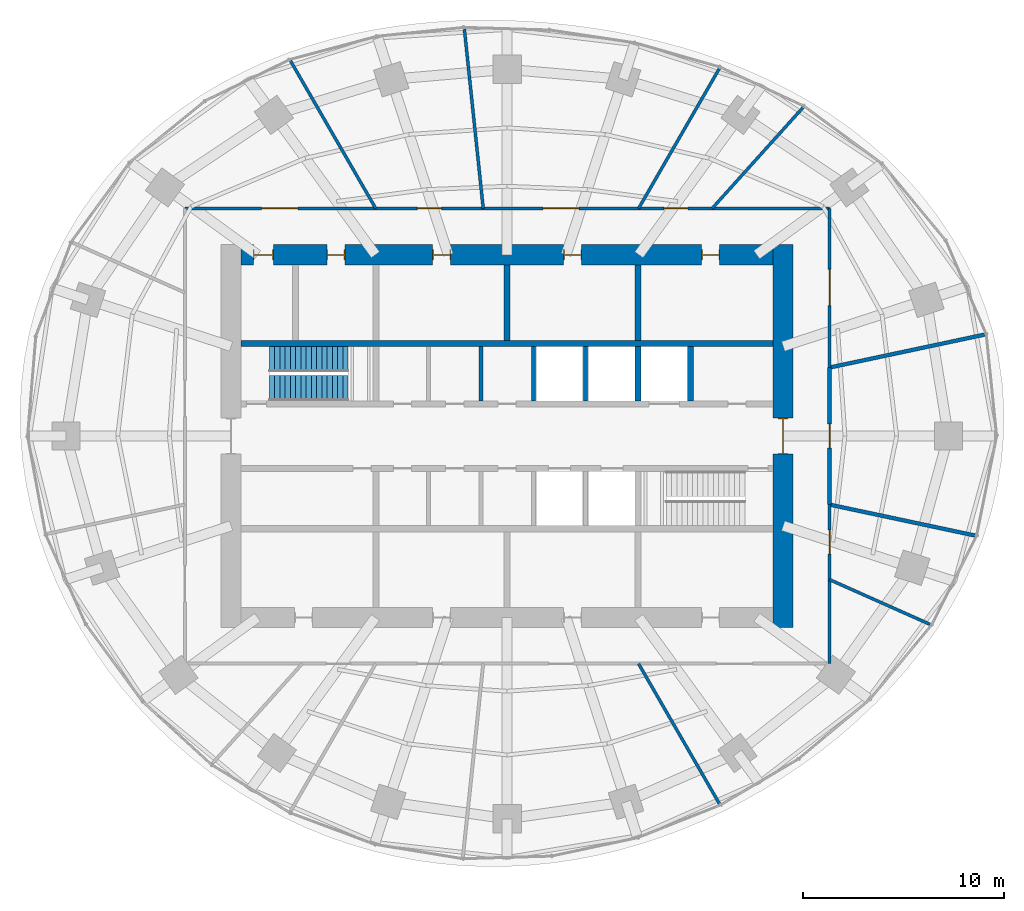
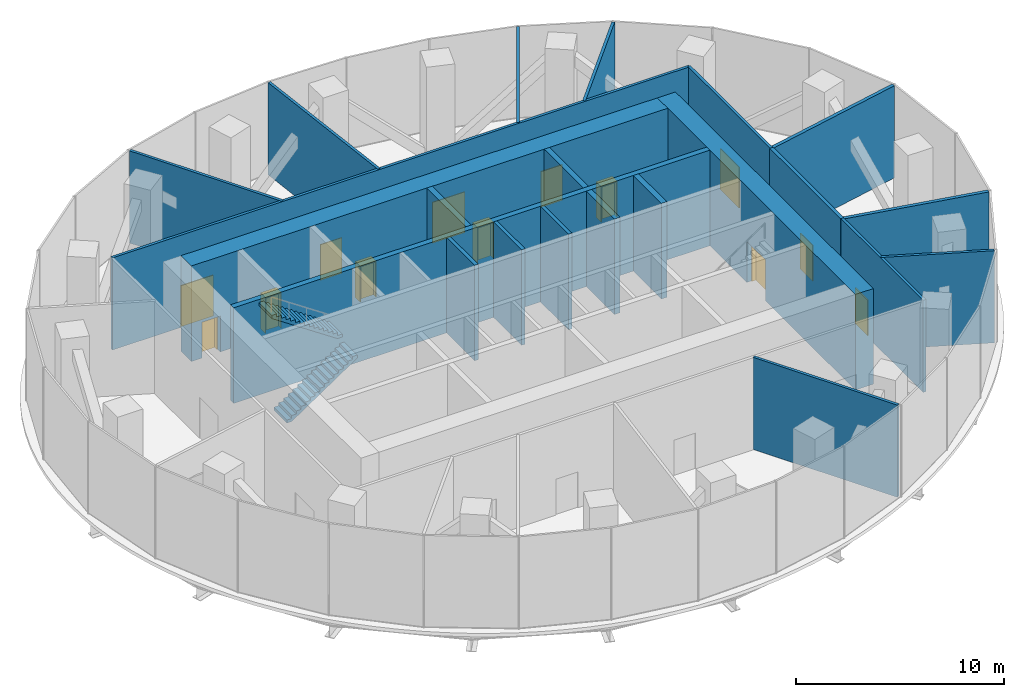
# One storey, part 11 of 13: 22 walls, 13 doors, 2 stair flights, 13 openings, 1 element without a shape of its own.
"""IFC4 building model written with IfcOpenShell, lengths in metres."""

from ifc_helpers import new_model, si_unit, direction, frame, frame_2d, origin, place, context, subcontext, project, spatial, polyline, rectangle, outline, extrude, material, layer, layer_set, type_object, element, fill, aggregate, save


model = new_model("IFC4")

# Units and contexts
model_context = context("Model", 3, precision=1e-05, world=origin(), true_north=direction((0.0, 1.0)))
body_context = subcontext(model_context, "Body", "Model", "MODEL_VIEW")
ifc_project = project(units=[si_unit("LENGTHUNIT", "METRE"), si_unit("AREAUNIT", "SQUARE_METRE"), si_unit("VOLUMEUNIT", "CUBIC_METRE"), si_unit("PLANEANGLEUNIT", "RADIAN"), si_unit("MASSUNIT", "GRAM", prefix="KILO")], contexts=[model_context])

# Site, building, storey
site_placement = place(None, origin())
site = spatial("IfcSite", under=ifc_project, at=site_placement, CompositionType="ELEMENT")
building_placement = place(site_placement, origin())
building = spatial("IfcBuilding", under=site, at=building_placement, Name="Marramba Exchange Tower", CompositionType="ELEMENT")
storey_placement = place(building_placement, frame((0.0, 0.0, 246.199951171875)))
storey = spatial("IfcBuildingStorey", under=building, at=storey_placement, Name="L60", CompositionType="ELEMENT", Elevation=246.199951171875)

# Walls
ifc_material_1 = material(Name="Concrete N50", Category="concrete")
ifc_layer_1 = layer(ifc_material_1, 0.199951171875)
ifc_layer_set_1 = layer_set([ifc_layer_1], Name="Core shaft wall 200")
wall_type_1 = type_object("IfcWallType", Name="Core shaft wall 200", PredefinedType="SHEAR", material=ifc_layer_set_1)
for number, where, z_axis, x_axis, name in (
    (1, (-1.300048828125, 1.75, 0.0), (0.0, 0.0, 1.0), (0.0, 1.0, 0.0), "Core wall SHN2 L60"),
    (2, (1.300048828125, 1.75, 0.0), (0.0, 0.0, 1.0), (0.0, 1.0, 0.0), "Core wall SHN3 L60"),
    (3, (3.89990234375, 1.75, 0.0), (0.0, 0.0, 1.0), (0.0, 1.0, 0.0), "Core wall SHN4 L60"),
):
    element("IfcWall", number, at=place(storey_placement, frame(where, z_axis=z_axis, x_axis=x_axis)), inside=storey, type_object=wall_type_1, Name=name, PredefinedType="SHEAR", context=body_context, shape_type="SweptSolid", body=[
        extrude(rectangle(XDim=2.699951171875, YDim=0.199951171875, at=frame_2d((1.35009765625, 0.0))), origin(), (0.0, 0.0, 1.0), 5.60009765625),
    ])

# Wall, openings, doors
ifc_layer_2 = layer(ifc_material_1, 1.0)
ifc_layer_set_2 = layer_set([ifc_layer_2], Name="Core wall 1000")
wall_type_2 = type_object("IfcWallType", Name="Core wall 1000", PredefinedType="SHEAR", material=ifc_layer_set_2)
wall_1_placement = place(storey_placement, frame((13.199951171875, 9.0, 0.0), z_axis=(0.0, 0.0, 1.0), x_axis=(-1.0, 0.0, 0.0)))
wall_1 = element("IfcWall", 4, at=wall_1_placement, inside=storey, type_object=wall_type_2, Name="Core wall N L60", PredefinedType="SHEAR", context=body_context, shape_type="SweptSolid", body=[
    extrude(rectangle(XDim=26.39990234375, YDim=1.0, at=frame_2d((13.199951171875, 0.0))), origin(), (0.0, 0.0, 1.0), 5.60009765625),
])
opening_1_placement = place(wall_1_placement, frame((2.64990234375, 0.0, 0.0)))
opening_1 = element("IfcOpeningElement", 5, at=opening_1_placement, cuts=wall_1, Name="Opening D5", PredefinedType="OPENING", context=body_context, shape_type="SweptSolid", body=[
    extrude(rectangle(XDim=0.89990234375, YDim=2.10009765625, at=frame_2d((0.449951171875, 1.050048828125))), frame((0.0, 0.510009765625, 0.0), z_axis=(0.0, -1.0, 0.0), x_axis=(1.0, 0.0, 0.0)), (0.0, 0.0, 1.0), 1.02001953125),
])
opening_2_placement = place(wall_1_placement, frame((9.5, 0.0, 0.0)))
opening_2 = element("IfcOpeningElement", 6, at=opening_2_placement, cuts=wall_1, Name="Opening D3", PredefinedType="OPENING", context=body_context, shape_type="SweptSolid", body=[
    extrude(rectangle(XDim=0.89990234375, YDim=2.10009765625, at=frame_2d((0.449951171875, 1.050048828125))), frame((0.0, 0.510009765625, 0.0), z_axis=(0.0, -1.0, 0.0), x_axis=(1.0, 0.0, 0.0)), (0.0, 0.0, 1.0), 1.02001953125),
])
opening_3_placement = place(wall_1_placement, frame((16.0, 0.0, 0.0)))
opening_3 = element("IfcOpeningElement", 7, at=opening_3_placement, cuts=wall_1, Name="Opening D3", PredefinedType="OPENING", context=body_context, shape_type="SweptSolid", body=[
    extrude(rectangle(XDim=0.89990234375, YDim=2.10009765625, at=frame_2d((0.449951171875, 1.050048828125))), frame((0.0, 0.510009765625, 0.0), z_axis=(0.0, -1.0, 0.0), x_axis=(1.0, 0.0, 0.0)), (0.0, 0.0, 1.0), 1.02001953125),
])
opening_4_placement = place(wall_1_placement, frame((21.25, 0.0, 0.0)))
opening_4 = element("IfcOpeningElement", 8, at=opening_4_placement, cuts=wall_1, Name="Opening D5", PredefinedType="OPENING", context=body_context, shape_type="SweptSolid", body=[
    extrude(rectangle(XDim=0.89990234375, YDim=2.10009765625, at=frame_2d((0.449951171875, 1.050048828125))), frame((0.0, 0.510009765625, 0.0), z_axis=(0.0, -1.0, 0.0), x_axis=(1.0, 0.0, 0.0)), (0.0, 0.0, 1.0), 1.02001953125),
])
opening_5_placement = place(wall_1_placement, frame((24.800048828125, 0.0, 0.0)))
opening_5 = element("IfcOpeningElement", 9, at=opening_5_placement, cuts=wall_1, Name="Opening D4", PredefinedType="OPENING", context=body_context, shape_type="SweptSolid", body=[
    extrude(rectangle(XDim=1.0, YDim=2.10009765625, at=frame_2d((0.5, 1.050048828125))), frame((0.0, 0.510009765625, 0.0), z_axis=(0.0, -1.0, 0.0), x_axis=(1.0, 0.0, 0.0)), (0.0, 0.0, 1.0), 1.02001953125),
])
ifc_material_2 = material(Name="Steel-framed door", Category="steel")
door_type_1 = type_object("IfcDoorType", Name="Accessible toilet door 1000x2100", OperationType="SINGLE_SWING_LEFT", PredefinedType="DOOR", material=ifc_material_2)
door_1_placement = place(opening_5_placement, origin())
door_1 = element("IfcDoor", 10, at=door_1_placement, inside=storey, type_object=door_type_1, Name="D4 awc L60", OperationType="SINGLE_SWING_RIGHT", OverallHeight=2.10009765625, OverallWidth=1.0, PredefinedType="DOOR", context=body_context, shape_type="SweptSolid", body=[
    extrude(rectangle(XDim=0.919921875, YDim=2.06005859375, at=frame_2d((0.5, 1.030029296875))), frame((0.0, 0.02490234375, 0.0), z_axis=(0.0, -1.0, 0.0), x_axis=(1.0, 0.0, 0.0)), (0.0, 0.0, 1.0), 0.050048828125),
    extrude(rectangle(XDim=0.04, YDim=2.10009765625, at=frame_2d((0.02001953125, 1.050048828125))), frame((0.0, 0.25, 0.0), z_axis=(0.0, -1.0, 0.0), x_axis=(1.0, 0.0, 0.0)), (0.0, 0.0, 1.0), 0.5),
    extrude(rectangle(XDim=0.04, YDim=2.10009765625, at=frame_2d((0.97998046875, 1.050048828125))), frame((0.0, 0.25, 0.0), z_axis=(0.0, -1.0, 0.0), x_axis=(1.0, 0.0, 0.0)), (0.0, 0.0, 1.0), 0.5),
    extrude(rectangle(XDim=0.919921875, YDim=0.04, at=frame_2d((0.5, 2.080078125))), frame((0.0, 0.25, 0.0), z_axis=(0.0, -1.0, 0.0), x_axis=(1.0, 0.0, 0.0)), (0.0, 0.0, 1.0), 0.5),
])
fill(opening_5, door_1)
door_type_2 = type_object("IfcDoorType", Name="Service door 900x2100", OperationType="SINGLE_SWING_LEFT", PredefinedType="DOOR", material=ifc_material_2)
door_2_placement = place(opening_1_placement, origin())
door_2 = element("IfcDoor", 11, at=door_2_placement, inside=storey, type_object=door_type_2, Name="D5 comms L60", OperationType="SINGLE_SWING_LEFT", OverallHeight=2.10009765625, OverallWidth=0.89990234375, PredefinedType="DOOR", context=body_context, shape_type="SweptSolid", body=[
    extrude(rectangle(XDim=0.81982421875, YDim=2.06005859375, at=frame_2d((0.449951171875, 1.030029296875))), frame((0.0, 0.02490234375, 0.0), z_axis=(0.0, -1.0, 0.0), x_axis=(1.0, 0.0, 0.0)), (0.0, 0.0, 1.0), 0.050048828125),
    extrude(rectangle(XDim=0.04, YDim=2.10009765625, at=frame_2d((0.02001953125, 1.050048828125))), frame((0.0, 0.25, 0.0), z_axis=(0.0, -1.0, 0.0), x_axis=(1.0, 0.0, 0.0)), (0.0, 0.0, 1.0), 0.5),
    extrude(rectangle(XDim=0.04, YDim=2.10009765625, at=frame_2d((0.8798828125, 1.050048828125))), frame((0.0, 0.25, 0.0), z_axis=(0.0, -1.0, 0.0), x_axis=(1.0, 0.0, 0.0)), (0.0, 0.0, 1.0), 0.5),
    extrude(rectangle(XDim=0.81982421875, YDim=0.04, at=frame_2d((0.449951171875, 2.080078125))), frame((0.0, 0.25, 0.0), z_axis=(0.0, -1.0, 0.0), x_axis=(1.0, 0.0, 0.0)), (0.0, 0.0, 1.0), 0.5),
])
fill(opening_1, door_2)
door_3_placement = place(opening_4_placement, origin())
door_3 = element("IfcDoor", 12, at=door_3_placement, inside=storey, type_object=door_type_2, Name="D5 cleaner L60", OperationType="SINGLE_SWING_RIGHT", OverallHeight=2.10009765625, OverallWidth=0.89990234375, PredefinedType="DOOR", context=body_context, shape_type="SweptSolid", body=[
    extrude(rectangle(XDim=0.81982421875, YDim=2.06005859375, at=frame_2d((0.449951171875, 1.030029296875))), frame((0.0, 0.02490234375, 0.0), z_axis=(0.0, -1.0, 0.0), x_axis=(1.0, 0.0, 0.0)), (0.0, 0.0, 1.0), 0.050048828125),
    extrude(rectangle(XDim=0.04, YDim=2.10009765625, at=frame_2d((0.02001953125, 1.050048828125))), frame((0.0, 0.25, 0.0), z_axis=(0.0, -1.0, 0.0), x_axis=(1.0, 0.0, 0.0)), (0.0, 0.0, 1.0), 0.5),
    extrude(rectangle(XDim=0.04, YDim=2.10009765625, at=frame_2d((0.8798828125, 1.050048828125))), frame((0.0, 0.25, 0.0), z_axis=(0.0, -1.0, 0.0), x_axis=(1.0, 0.0, 0.0)), (0.0, 0.0, 1.0), 0.5),
    extrude(rectangle(XDim=0.81982421875, YDim=0.04, at=frame_2d((0.449951171875, 2.080078125))), frame((0.0, 0.25, 0.0), z_axis=(0.0, -1.0, 0.0), x_axis=(1.0, 0.0, 0.0)), (0.0, 0.0, 1.0), 0.5),
])
fill(opening_4, door_3)
door_type_3 = type_object("IfcDoorType", Name="Toilet door 900x2100", OperationType="SINGLE_SWING_LEFT", PredefinedType="DOOR", material=ifc_material_2)
door_4_placement = place(opening_2_placement, origin())
door_4 = element("IfcDoor", 13, at=door_4_placement, inside=storey, type_object=door_type_3, Name="D3 wc-f L60", OperationType="SINGLE_SWING_RIGHT", OverallHeight=2.10009765625, OverallWidth=0.89990234375, PredefinedType="DOOR", context=body_context, shape_type="SweptSolid", body=[
    extrude(rectangle(XDim=0.81982421875, YDim=2.06005859375, at=frame_2d((0.449951171875, 1.030029296875))), frame((0.0, 0.02490234375, 0.0), z_axis=(0.0, -1.0, 0.0), x_axis=(1.0, 0.0, 0.0)), (0.0, 0.0, 1.0), 0.050048828125),
    extrude(rectangle(XDim=0.04, YDim=2.10009765625, at=frame_2d((0.02001953125, 1.050048828125))), frame((0.0, 0.25, 0.0), z_axis=(0.0, -1.0, 0.0), x_axis=(1.0, 0.0, 0.0)), (0.0, 0.0, 1.0), 0.5),
    extrude(rectangle(XDim=0.04, YDim=2.10009765625, at=frame_2d((0.8798828125, 1.050048828125))), frame((0.0, 0.25, 0.0), z_axis=(0.0, -1.0, 0.0), x_axis=(1.0, 0.0, 0.0)), (0.0, 0.0, 1.0), 0.5),
    extrude(rectangle(XDim=0.81982421875, YDim=0.04, at=frame_2d((0.449951171875, 2.080078125))), frame((0.0, 0.25, 0.0), z_axis=(0.0, -1.0, 0.0), x_axis=(1.0, 0.0, 0.0)), (0.0, 0.0, 1.0), 0.5),
])
fill(opening_2, door_4)
door_5_placement = place(opening_3_placement, origin())
door_5 = element("IfcDoor", 14, at=door_5_placement, inside=storey, type_object=door_type_3, Name="D3 wc-m L60", OperationType="SINGLE_SWING_RIGHT", OverallHeight=2.10009765625, OverallWidth=0.89990234375, PredefinedType="DOOR", context=body_context, shape_type="SweptSolid", body=[
    extrude(rectangle(XDim=0.81982421875, YDim=2.06005859375, at=frame_2d((0.449951171875, 1.030029296875))), frame((0.0, 0.02490234375, 0.0), z_axis=(0.0, -1.0, 0.0), x_axis=(1.0, 0.0, 0.0)), (0.0, 0.0, 1.0), 0.050048828125),
    extrude(rectangle(XDim=0.04, YDim=2.10009765625, at=frame_2d((0.02001953125, 1.050048828125))), frame((0.0, 0.25, 0.0), z_axis=(0.0, -1.0, 0.0), x_axis=(1.0, 0.0, 0.0)), (0.0, 0.0, 1.0), 0.5),
    extrude(rectangle(XDim=0.04, YDim=2.10009765625, at=frame_2d((0.8798828125, 1.050048828125))), frame((0.0, 0.25, 0.0), z_axis=(0.0, -1.0, 0.0), x_axis=(1.0, 0.0, 0.0)), (0.0, 0.0, 1.0), 0.5),
    extrude(rectangle(XDim=0.81982421875, YDim=0.04, at=frame_2d((0.449951171875, 2.080078125))), frame((0.0, 0.25, 0.0), z_axis=(0.0, -1.0, 0.0), x_axis=(1.0, 0.0, 0.0)), (0.0, 0.0, 1.0), 0.5),
])
fill(opening_3, door_5)

# Wall, opening, door
wall_2_placement = place(storey_placement, frame((13.699951171875, -9.5, 0.0), z_axis=(0.0, 0.0, 1.0), x_axis=(0.0, 1.0, 0.0)))
wall_2 = element("IfcWall", 15, at=wall_2_placement, inside=storey, type_object=wall_type_2, Name="Core wall E L60", PredefinedType="SHEAR", context=body_context, shape_type="SweptSolid", body=[
    extrude(rectangle(XDim=19.0, YDim=1.0, at=frame_2d((9.5, 0.0))), origin(), (0.0, 0.0, 1.0), 5.60009765625),
])
opening_6_placement = place(wall_2_placement, frame((8.60009765625, 0.0, 0.0)))
opening_6 = element("IfcOpeningElement", 16, at=opening_6_placement, cuts=wall_2, Name="Opening D1", PredefinedType="OPENING", context=body_context, shape_type="SweptSolid", body=[
    extrude(rectangle(XDim=1.800048828125, YDim=2.39990234375, at=frame_2d((0.89990234375, 1.199951171875))), frame((0.0, 0.510009765625, 0.0), z_axis=(0.0, -1.0, 0.0), x_axis=(1.0, 0.0, 0.0)), (0.0, 0.0, 1.0), 1.02001953125),
])
door_type_4 = type_object("IfcDoorType", Name="Lobby exit door 1800x2400", OperationType="DOUBLE_DOOR_SINGLE_SWING", PredefinedType="DOOR", material=ifc_material_2)
door_6_placement = place(opening_6_placement, origin())
door_6 = element("IfcDoor", 17, at=door_6_placement, inside=storey, type_object=door_type_4, Name="D1 lobby exit east L60", OperationType="DOUBLE_DOOR_SINGLE_SWING", OverallHeight=2.39990234375, OverallWidth=1.800048828125, PredefinedType="DOOR", context=body_context, shape_type="SweptSolid", body=[
    extrude(rectangle(XDim=1.719970703125, YDim=2.35986328125, at=frame_2d((0.89990234375, 1.179931640625))), frame((0.0, 0.02490234375, 0.0), z_axis=(0.0, -1.0, 0.0), x_axis=(1.0, 0.0, 0.0)), (0.0, 0.0, 1.0), 0.050048828125),
    extrude(rectangle(XDim=0.04, YDim=2.39990234375, at=frame_2d((0.02001953125, 1.199951171875))), frame((0.0, 0.25, 0.0), z_axis=(0.0, -1.0, 0.0), x_axis=(1.0, 0.0, 0.0)), (0.0, 0.0, 1.0), 0.5),
    extrude(rectangle(XDim=0.04, YDim=2.39990234375, at=frame_2d((1.780029296875, 1.199951171875))), frame((0.0, 0.25, 0.0), z_axis=(0.0, -1.0, 0.0), x_axis=(1.0, 0.0, 0.0)), (0.0, 0.0, 1.0), 0.5),
    extrude(rectangle(XDim=1.719970703125, YDim=0.04, at=frame_2d((0.89990234375, 2.3798828125))), frame((0.0, 0.25, 0.0), z_axis=(0.0, -1.0, 0.0), x_axis=(1.0, 0.0, 0.0)), (0.0, 0.0, 1.0), 0.5),
])
fill(opening_6, door_6)

# Walls
ifc_layer_3 = layer(ifc_material_1, 0.300048828125)
ifc_layer_set_3 = layer_set([ifc_layer_3], Name="Core wall 300")
wall_type_3 = type_object("IfcWallType", Name="Core wall 300", PredefinedType="SHEAR", material=ifc_layer_set_3)
wall_3_placement = place(storey_placement, frame((-13.199951171875, 4.60009765625, 0.0), z_axis=(0.0, 0.0, 1.0), x_axis=(1.0, 0.0, 0.0)))
element("IfcWall", 18, at=wall_3_placement, inside=storey, type_object=wall_type_3, Name="Core wall BN L60", PredefinedType="SHEAR", context=body_context, shape_type="SweptSolid", body=[
    extrude(rectangle(XDim=26.39990234375, YDim=0.300048828125, at=frame_2d((13.199951171875, 0.0))), origin(), (0.0, 0.0, 1.0), 5.60009765625),
])
wall_4_placement = place(storey_placement, frame((6.5, 1.75, 0.0), z_axis=(0.0, 0.0, 1.0), x_axis=(0.0, 1.0, 0.0)))
element("IfcWall", 19, at=wall_4_placement, inside=storey, type_object=wall_type_3, Name="Core wall X1Na L60", PredefinedType="SHEAR", context=body_context, shape_type="SweptSolid", body=[
    extrude(rectangle(XDim=2.699951171875, YDim=0.300048828125, at=frame_2d((1.35009765625, 0.0))), origin(), (0.0, 0.0, 1.0), 5.60009765625),
])
for number, where, z_axis, x_axis, name in (
    (20, (6.5, 4.75, 0.0), (0.0, 0.0, 1.0), (0.0, 1.0, 0.0), "Core wall X1Nb L60"),
    (21, (0.0, 4.75, 0.0), (0.0, 0.0, 1.0), (0.0, 1.0, 0.0), "Core wall MN L60"),
):
    element("IfcWall", number, at=place(storey_placement, frame(where, z_axis=z_axis, x_axis=x_axis)), inside=storey, type_object=wall_type_3, Name=name, PredefinedType="SHEAR", context=body_context, shape_type="SweptSolid", body=[
        extrude(rectangle(XDim=3.75, YDim=0.300048828125, at=frame_2d((1.875, 0.0))), origin(), (0.0, 0.0, 1.0), 5.60009765625),
    ])
wall_5_placement = place(storey_placement, frame((9.10009765625, 1.75, 0.0), z_axis=(0.0, 0.0, 1.0), x_axis=(0.0, 1.0, 0.0)))
element("IfcWall", 22, at=wall_5_placement, inside=storey, type_object=wall_type_3, Name="Core wall ED L60", PredefinedType="SHEAR", context=body_context, shape_type="SweptSolid", body=[
    extrude(rectangle(XDim=2.699951171875, YDim=0.300048828125, at=frame_2d((1.35009765625, 0.0))), origin(), (0.0, 0.0, 1.0), 5.60009765625),
])
ifc_material_3 = material(Name="Core-filled concrete blockwork, rendered", Category="masonry")
ifc_layer_4 = layer(ifc_material_3, 0.18994140625)
ifc_layer_set_4 = layer_set([ifc_layer_4], Name="Equipment room wall 190")
wall_type_4 = type_object("IfcWallType", Name="Equipment room wall 190", PredefinedType="SOLIDWALL", material=ifc_layer_set_4)
wall_6_placement = place(storey_placement, frame((16.0, -3.40087890625, 0.0), z_axis=(0.0, 0.0, 1.0), x_axis=(0.978142451548, -0.207935914357, 0.0)))
element("IfcWall", 23, at=wall_6_placement, inside=storey, type_object=wall_type_4, Name="Equipment room wall L60 09", PredefinedType="SOLIDWALL", context=body_context, shape_type="SweptSolid", body=[
    extrude(rectangle(XDim=7.37939453125, YDim=0.18994140625, at=frame_2d((3.689697265625, 0.0))), origin(), (0.0, 0.0, 1.0), 5.400146484375),
])

# Wall, opening, door
wall_7_placement = place(storey_placement, frame((16.0, -3.40087890625, 0.0), z_axis=(0.0, 0.0, 1.0), x_axis=(0.0, 1.0, 0.0)))
wall_7 = element("IfcWall", 24, at=wall_7_placement, inside=storey, type_object=wall_type_4, Name="Equipment room wall L60 10", PredefinedType="SOLIDWALL", context=body_context, shape_type="SweptSolid", body=[
    extrude(rectangle(XDim=6.8017578125, YDim=0.18994140625, at=frame_2d((3.40087890625, 0.0))), origin(), (0.0, 0.0, 1.0), 5.400146484375),
])
opening_7_placement = place(wall_7_placement, frame((2.801025390625, 0.0, 0.0)))
opening_7 = element("IfcOpeningElement", 25, at=opening_7_placement, cuts=wall_7, Name="Opening D16", PredefinedType="OPENING", context=body_context, shape_type="SweptSolid", body=[
    extrude(rectangle(XDim=1.199951171875, YDim=2.10009765625, at=frame_2d((0.60009765625, 1.050048828125))), frame((0.0, 0.10498046875, 0.0), z_axis=(0.0, -1.0, 0.0), x_axis=(1.0, 0.0, 0.0)), (0.0, 0.0, 1.0), 0.2099609375),
])
door_type_5 = type_object("IfcDoorType", Name="Equipment room door 1200x2100", OperationType="SINGLE_SWING_LEFT", PredefinedType="DOOR", material=ifc_material_2)
door_7_placement = place(opening_7_placement, origin())
door_7 = element("IfcDoor", 26, at=door_7_placement, inside=storey, type_object=door_type_5, Name="D16 UPS Room L60", OperationType="SINGLE_SWING_RIGHT", OverallHeight=2.10009765625, OverallWidth=1.199951171875, PredefinedType="DOOR", context=body_context, shape_type="SweptSolid", body=[
    extrude(rectangle(XDim=1.199951171875, YDim=2.10009765625, at=frame_2d((0.60009765625, 1.050048828125))), frame((0.0, 0.02490234375, 0.0), z_axis=(0.0, -1.0, 0.0), x_axis=(1.0, 0.0, 0.0)), (0.0, 0.0, 1.0), 0.050048828125),
])
fill(opening_7, door_7)

# Walls
wall_8_placement = place(storey_placement, frame((23.700439453125, 5.03759765625, 0.0), z_axis=(0.0, 0.0, 1.0), x_axis=(-0.97814915542, -0.20790437646, 0.0)))
element("IfcWall", 27, at=wall_8_placement, inside=storey, type_object=wall_type_4, Name="Equipment room wall L60 11", PredefinedType="SOLIDWALL", context=body_context, shape_type="SweptSolid", body=[
    extrude(rectangle(XDim=7.87255859375, YDim=0.18994140625, at=frame_2d((3.936279296875, 0.0))), origin(), (0.0, 0.0, 1.0), 5.400146484375),
])
ifc_material_4 = material(Name="Fire-rated plasterboard on steel studs, acoustic insulation", Category="steel")
ifc_layer_5 = layer(ifc_material_4, 0.14990234375)
ifc_layer_set_5 = layer_set([ifc_layer_5], Name="Tenancy wall 150")
wall_type_5 = type_object("IfcWallType", Name="Tenancy wall 150", PredefinedType="PARTITIONING", material=ifc_layer_set_5)
wall_9_placement = place(storey_placement, frame((6.524169921875, -11.300048828125, 0.0), z_axis=(0.0, 0.0, 1.0), x_axis=(0.499985955615, -0.866033512162, 0.0)))
element("IfcWall", 28, at=wall_9_placement, inside=storey, type_object=wall_type_5, Name="Tenancy wall L60 06", PredefinedType="PARTITIONING", context=body_context, shape_type="SweptSolid", body=[
    extrude(rectangle(XDim=8.020263671875, YDim=0.14990234375, at=frame_2d((4.01025390625, 0.0))), origin(), (0.0, 0.0, 1.0), 5.400146484375),
])

# Wall, opening, door
wall_10_placement = place(storey_placement, frame((16.0, -11.300048828125, 0.0), z_axis=(0.0, 0.0, 1.0), x_axis=(0.0, 1.0, 0.0)))
wall_10 = element("IfcWall", 29, at=wall_10_placement, inside=storey, type_object=wall_type_5, Name="Tenancy wall L60 07", PredefinedType="PARTITIONING", context=body_context, shape_type="SweptSolid", body=[
    extrude(rectangle(XDim=7.899169921875, YDim=0.14990234375, at=frame_2d((3.94970703125, 0.0))), origin(), (0.0, 0.0, 1.0), 5.400146484375),
])
opening_8_placement = place(wall_10_placement, frame((5.43798828125, 0.0, 0.0)))
opening_8 = element("IfcOpeningElement", 30, at=opening_8_placement, cuts=wall_10, Name="Opening D16", PredefinedType="OPENING", context=body_context, shape_type="SweptSolid", body=[
    extrude(rectangle(XDim=1.199951171875, YDim=2.10009765625, at=frame_2d((0.60009765625, 1.050048828125))), frame((0.0, 0.0849609375, 0.0), z_axis=(0.0, -1.0, 0.0), x_axis=(1.0, 0.0, 0.0)), (0.0, 0.0, 1.0), 0.169921875),
])
door_8_placement = place(opening_8_placement, frame((1.199951171875, 0.0, 0.0), z_axis=(0.0, 0.0, 1.0), x_axis=(-1.0, 0.0, 0.0)))
door_8 = element("IfcDoor", 31, at=door_8_placement, inside=storey, type_object=door_type_5, Name="D16 Outdoor Air Intake Plant Room 3 L60", OperationType="SINGLE_SWING_LEFT", OverallHeight=2.10009765625, OverallWidth=1.199951171875, PredefinedType="DOOR", context=body_context, shape_type="SweptSolid", body=[
    extrude(rectangle(XDim=1.199951171875, YDim=2.10009765625, at=frame_2d((0.599853515625, 1.050048828125))), frame((0.0, 0.025146484375, 0.0), z_axis=(0.0, -1.0, 0.0), x_axis=(1.0, 0.0, 0.0)), (0.0, 0.0, 1.0), 0.050048828125),
])
fill(opening_8, door_8)

# Wall
wall_11_placement = place(storey_placement, frame((16.0, -7.123779296875, 0.0), z_axis=(0.0, 0.0, 1.0), x_axis=(0.913549580234, -0.406727383458, 0.0)))
element("IfcWall", 32, at=wall_11_placement, inside=storey, type_object=wall_type_5, Name="Tenancy wall L60 08", PredefinedType="PARTITIONING", context=body_context, shape_type="SweptSolid", body=[
    extrude(rectangle(XDim=5.461181640625, YDim=0.14990234375, at=frame_2d((2.73046875, 0.0))), origin(), (0.0, 0.0, 1.0), 5.400146484375),
])

# Wall, opening, door
wall_12_placement = place(storey_placement, frame((16.0, 3.40087890625, 0.0), z_axis=(0.0, 0.0, 1.0), x_axis=(0.0, 1.0, 0.0)))
wall_12 = element("IfcWall", 33, at=wall_12_placement, inside=storey, type_object=wall_type_5, Name="Tenancy wall L60 12", PredefinedType="PARTITIONING", context=body_context, shape_type="SweptSolid", body=[
    extrude(rectangle(XDim=7.899169921875, YDim=0.14990234375, at=frame_2d((3.94970703125, 0.0))), origin(), (0.0, 0.0, 1.0), 5.400146484375),
])
opening_9_placement = place(wall_12_placement, frame((3.074951171875, 0.0, 0.0)))
opening_9 = element("IfcOpeningElement", 34, at=opening_9_placement, cuts=wall_12, Name="Opening D18", PredefinedType="OPENING", context=body_context, shape_type="SweptSolid", body=[
    extrude(rectangle(XDim=1.800048828125, YDim=2.39990234375, at=frame_2d((0.89990234375, 1.199951171875))), frame((0.0, 0.0849609375, 0.0), z_axis=(0.0, -1.0, 0.0), x_axis=(1.0, 0.0, 0.0)), (0.0, 0.0, 1.0), 0.169921875),
])
door_type_6 = type_object("IfcDoorType", Name="Door pair 1800x2400", OperationType="DOUBLE_DOOR_SINGLE_SWING", PredefinedType="DOOR", material=ifc_material_2)
door_9_placement = place(opening_9_placement, origin())
door_9 = element("IfcDoor", 35, at=door_9_placement, inside=storey, type_object=door_type_6, Name="D18 AHU Plant Room 1 L60", OperationType="DOUBLE_DOOR_SINGLE_SWING", OverallHeight=2.39990234375, OverallWidth=1.800048828125, PredefinedType="DOOR", context=body_context, shape_type="SweptSolid", body=[
    extrude(rectangle(XDim=1.800048828125, YDim=2.39990234375, at=frame_2d((0.89990234375, 1.199951171875))), frame((0.0, 0.02490234375, 0.0), z_axis=(0.0, -1.0, 0.0), x_axis=(1.0, 0.0, 0.0)), (0.0, 0.0, 1.0), 0.050048828125),
])
fill(opening_9, door_9)

# Walls
wall_13_placement = place(storey_placement, frame((10.174560546875, 11.300048828125, 0.0), z_axis=(0.0, 0.0, 1.0), x_axis=(0.669122640064, 0.743151998284, 0.0)))
element("IfcWall", 36, at=wall_13_placement, inside=storey, type_object=wall_type_5, Name="Tenancy wall L60 13", PredefinedType="PARTITIONING", context=body_context, shape_type="SweptSolid", body=[
    extrude(rectangle(XDim=6.74755859375, YDim=0.14990234375, at=frame_2d((3.373779296875, 0.0))), origin(), (0.0, 0.0, 1.0), 5.400146484375),
])
wall_14_placement = place(storey_placement, frame((6.524169921875, 11.300048828125, 0.0), z_axis=(0.0, 0.0, 1.0), x_axis=(0.499985955615, 0.866033512162, 0.0)))
element("IfcWall", 37, at=wall_14_placement, inside=storey, type_object=wall_type_5, Name="Tenancy wall L60 14", PredefinedType="PARTITIONING", context=body_context, shape_type="SweptSolid", body=[
    extrude(rectangle(XDim=8.020263671875, YDim=0.14990234375, at=frame_2d((4.01025390625, 0.0))), origin(), (0.0, 0.0, 1.0), 5.400146484375),
])

# Wall, openings, doors
wall_15_placement = place(storey_placement, frame((16.0, 11.300048828125, 0.0), z_axis=(0.0, 0.0, 1.0), x_axis=(-1.0, 0.0, 0.0)))
wall_15 = element("IfcWall", 38, at=wall_15_placement, inside=storey, type_object=wall_type_5, Name="Tenancy wall L60 15", PredefinedType="PARTITIONING", context=body_context, shape_type="SweptSolid", body=[
    extrude(rectangle(XDim=32.0, YDim=0.14990234375, at=frame_2d((16.0, 0.0))), origin(), (0.0, 0.0, 1.0), 5.400146484375),
])
opening_10_placement = place(wall_15_placement, frame((7.02587890625, 0.0, 0.0)))
opening_10 = element("IfcOpeningElement", 39, at=opening_10_placement, cuts=wall_15, Name="Opening D16", PredefinedType="OPENING", context=body_context, shape_type="SweptSolid", body=[
    extrude(rectangle(XDim=1.199951171875, YDim=2.10009765625, at=frame_2d((0.60009765625, 1.050048828125))), frame((0.0, 0.0849609375, 0.0), z_axis=(0.0, -1.0, 0.0), x_axis=(1.0, 0.0, 0.0)), (0.0, 0.0, 1.0), 0.169921875),
])
opening_11_placement = place(wall_15_placement, frame((12.431884765625, 0.0, 0.0)))
opening_11 = element("IfcOpeningElement", 40, at=opening_11_placement, cuts=wall_15, Name="Opening D18", PredefinedType="OPENING", context=body_context, shape_type="SweptSolid", body=[
    extrude(rectangle(XDim=1.800048828125, YDim=2.39990234375, at=frame_2d((0.89990234375, 1.199951171875))), frame((0.0, 0.0849609375, 0.0), z_axis=(0.0, -1.0, 0.0), x_axis=(1.0, 0.0, 0.0)), (0.0, 0.0, 1.0), 0.169921875),
])
opening_12_placement = place(wall_15_placement, frame((19.256103515625, 0.0, 0.0)))
opening_12 = element("IfcOpeningElement", 41, at=opening_12_placement, cuts=wall_15, Name="Opening D16", PredefinedType="OPENING", context=body_context, shape_type="SweptSolid", body=[
    extrude(rectangle(XDim=1.199951171875, YDim=2.10009765625, at=frame_2d((0.60009765625, 1.050048828125))), frame((0.0, 0.0849609375, 0.0), z_axis=(0.0, -1.0, 0.0), x_axis=(1.0, 0.0, 0.0)), (0.0, 0.0, 1.0), 0.169921875),
])
opening_13_placement = place(wall_15_placement, frame((26.386962890625, 0.0, 0.0)))
opening_13 = element("IfcOpeningElement", 42, at=opening_13_placement, cuts=wall_15, Name="Opening D18", PredefinedType="OPENING", context=body_context, shape_type="SweptSolid", body=[
    extrude(rectangle(XDim=1.800048828125, YDim=2.39990234375, at=frame_2d((0.89990234375, 1.199951171875))), frame((0.0, 0.0849609375, 0.0), z_axis=(0.0, -1.0, 0.0), x_axis=(1.0, 0.0, 0.0)), (0.0, 0.0, 1.0), 0.169921875),
])
door_10_placement = place(opening_11_placement, origin())
door_10 = element("IfcDoor", 43, at=door_10_placement, inside=storey, type_object=door_type_6, Name="D18 Chilled Water Plant Room L60", OperationType="DOUBLE_DOOR_SINGLE_SWING", OverallHeight=2.39990234375, OverallWidth=1.800048828125, PredefinedType="DOOR", context=body_context, shape_type="SweptSolid", body=[
    extrude(rectangle(XDim=1.800048828125, YDim=2.39990234375, at=frame_2d((0.89990234375, 1.199951171875))), frame((0.0, 0.02490234375, 0.0), z_axis=(0.0, -1.0, 0.0), x_axis=(1.0, 0.0, 0.0)), (0.0, 0.0, 1.0), 0.050048828125),
])
fill(opening_11, door_10)
door_11_placement = place(opening_13_placement, origin())
door_11 = element("IfcDoor", 44, at=door_11_placement, inside=storey, type_object=door_type_6, Name="D18 Electrical Switch Room L60", OperationType="DOUBLE_DOOR_SINGLE_SWING", OverallHeight=2.39990234375, OverallWidth=1.800048828125, PredefinedType="DOOR", context=body_context, shape_type="SweptSolid", body=[
    extrude(rectangle(XDim=1.800048828125, YDim=2.39990234375, at=frame_2d((0.89990234375, 1.199951171875))), frame((0.0, 0.02490234375, 0.0), z_axis=(0.0, -1.0, 0.0), x_axis=(1.0, 0.0, 0.0)), (0.0, 0.0, 1.0), 0.050048828125),
])
fill(opening_13, door_11)
door_12_placement = place(opening_10_placement, frame((1.199951171875, 0.0, 0.0), z_axis=(0.0, 0.0, 1.0), x_axis=(-1.0, 0.0, 0.0)))
door_12 = element("IfcDoor", 45, at=door_12_placement, inside=storey, type_object=door_type_5, Name="D16 Outdoor Air Intake Plant Room 1 L60", OperationType="SINGLE_SWING_LEFT", OverallHeight=2.10009765625, OverallWidth=1.199951171875, PredefinedType="DOOR", context=body_context, shape_type="SweptSolid", body=[
    extrude(rectangle(XDim=1.199951171875, YDim=2.10009765625, at=frame_2d((0.599853515625, 1.050048828125))), frame((0.0, 0.025146484375, 0.0), z_axis=(0.0, -1.0, 0.0), x_axis=(1.0, 0.0, 0.0)), (0.0, 0.0, 1.0), 0.050048828125),
])
fill(opening_10, door_12)
door_13_placement = place(opening_12_placement, origin())
door_13 = element("IfcDoor", 46, at=door_13_placement, inside=storey, type_object=door_type_5, Name="D16 Sprinkler Valve Room L60", OperationType="SINGLE_SWING_RIGHT", OverallHeight=2.10009765625, OverallWidth=1.199951171875, PredefinedType="DOOR", context=body_context, shape_type="SweptSolid", body=[
    extrude(rectangle(XDim=1.199951171875, YDim=2.10009765625, at=frame_2d((0.60009765625, 1.050048828125))), frame((0.0, 0.02490234375, 0.0), z_axis=(0.0, -1.0, 0.0), x_axis=(1.0, 0.0, 0.0)), (0.0, 0.0, 1.0), 0.050048828125),
])
fill(opening_12, door_13)

# Walls
wall_16_placement = place(storey_placement, frame((-1.187744140625, 11.300048828125, 0.0), z_axis=(0.0, 0.0, 1.0), x_axis=(-0.104514501891, 0.994523362669, 0.0)))
element("IfcWall", 47, at=wall_16_placement, inside=storey, type_object=wall_type_5, Name="Tenancy wall L60 16", PredefinedType="PARTITIONING", context=body_context, shape_type="SweptSolid", body=[
    extrude(rectangle(XDim=8.9560546875, YDim=0.14990234375, at=frame_2d((4.47802734375, 0.0))), origin(), (0.0, 0.0, 1.0), 5.400146484375),
])
wall_17_placement = place(storey_placement, frame((-6.524169921875, 11.300048828125, 0.0), z_axis=(0.0, 0.0, 1.0), x_axis=(-0.500005748546, 0.866022084834, 0.0)))
element("IfcWall", 48, at=wall_17_placement, inside=storey, type_object=wall_type_5, Name="Tenancy wall L60 17", PredefinedType="PARTITIONING", context=body_context, shape_type="SweptSolid", body=[
    extrude(rectangle(XDim=8.45458984375, YDim=0.14990234375, at=frame_2d((4.227294921875, 0.0))), origin(), (0.0, 0.0, 1.0), 5.400146484375),
])

# Stair, stair flights
ifc_material_5 = material(Name="Concrete N40 (40 MPa)", Category="concrete")
stair_type = type_object("IfcStairType", Name="Exit stair ST1 5600 x 1250", PredefinedType="HALF_TURN_STAIR", material=ifc_material_5)
stair_placement = place(storey_placement, origin())
stair = element("IfcStair", 49, at=stair_placement, inside=storey, type_object=stair_type, Name="Exit stair ST1 L60", PredefinedType="HALF_TURN_STAIR")
stair_flight_type = type_object("IfcStairFlightType", Name="ST1 stair flight 1750 riser 1250 wide", PredefinedType="STRAIGHT", material=ifc_material_5)
stair_flight_1_placement = place(storey_placement, frame((-11.800048828125, 2.375, 0.0), z_axis=(0.0, 0.0, 1.0), x_axis=(1.0, 0.0, 0.0)))
stair_flight_1 = element("IfcStairFlight", 50, at=stair_flight_1_placement, type_object=stair_flight_type, Name="ST1 flight 1", NumberOfRisers=16, NumberOfTreads=15, PredefinedType="STRAIGHT", RiserHeight=0.175, TreadLength=0.26, context=body_context, shape_type="SweptSolid", body=[
    extrude(outline(polyline([(0.0, 0.0), (0.0, 0.175048828125), (0.260009765625, 0.175048828125), (0.260009765625, 0.35009765625), (0.52001953125, 0.35009765625), (0.52001953125, 0.52490234375), (0.780029296875, 0.52490234375), (0.780029296875, 0.699951171875), (1.0400390625, 0.699951171875), (1.0400390625, 0.875), (1.300048828125, 0.875), (1.300048828125, 1.050048828125), (1.56005859375, 1.050048828125), (1.56005859375, 1.22509765625), (1.820068359375, 1.22509765625), (1.820068359375, 1.39990234375), (2.080078125, 1.39990234375), (2.080078125, 1.574951171875), (2.340087890625, 1.574951171875), (2.340087890625, 1.75), (2.60009765625, 1.75), (2.60009765625, 1.925048828125), (2.860107421875, 1.925048828125), (2.860107421875, 2.10009765625), (3.1201171875, 2.10009765625), (3.1201171875, 2.27490234375), (3.3798828125, 2.27490234375), (3.3798828125, 2.449951171875), (3.639892578125, 2.449951171875), (3.639892578125, 2.625), (3.89990234375, 2.625), (3.89990234375, 2.800048828125), (3.89990234375, 2.4443359375), (0.2685546875, 0.0), (0.0, 0.0)])), frame((0.0, 0.625, 0.0), z_axis=(0.0, -1.0, 0.0), x_axis=(1.0, 0.0, 0.0)), (0.0, 0.0, 1.0), 1.25),
])
stair_flight_2_placement = place(storey_placement, frame((-7.89990234375, 3.824951171875, 2.800048828125), z_axis=(0.0, 0.0, 1.0), x_axis=(-1.0, 0.0, 0.0)))
stair_flight_2 = element("IfcStairFlight", 51, at=stair_flight_2_placement, type_object=stair_flight_type, Name="ST1 flight 2", NumberOfRisers=16, NumberOfTreads=15, PredefinedType="STRAIGHT", RiserHeight=0.175, TreadLength=0.26, context=body_context, shape_type="SweptSolid", body=[
    extrude(outline(polyline([(0.0, 0.0), (0.0, 0.175048828125), (0.260009765625, 0.175048828125), (0.260009765625, 0.35009765625), (0.52001953125, 0.35009765625), (0.52001953125, 0.52490234375), (0.780029296875, 0.52490234375), (0.780029296875, 0.699951171875), (1.0400390625, 0.699951171875), (1.0400390625, 0.875), (1.300048828125, 0.875), (1.300048828125, 1.050048828125), (1.56005859375, 1.050048828125), (1.56005859375, 1.22509765625), (1.820068359375, 1.22509765625), (1.820068359375, 1.39990234375), (2.080078125, 1.39990234375), (2.080078125, 1.574951171875), (2.340087890625, 1.574951171875), (2.340087890625, 1.75), (2.60009765625, 1.75), (2.60009765625, 1.925048828125), (2.860107421875, 1.925048828125), (2.860107421875, 2.10009765625), (3.1201171875, 2.10009765625), (3.1201171875, 2.27490234375), (3.3798828125, 2.27490234375), (3.3798828125, 2.449951171875), (3.639892578125, 2.449951171875), (3.639892578125, 2.625), (3.89990234375, 2.625), (3.89990234375, 2.800048828125), (3.89990234375, 2.4443359375), (0.2685546875, 0.0), (0.0, 0.0)])), frame((0.0, 0.625, 0.0), z_axis=(0.0, -1.0, 0.0), x_axis=(1.0, 0.0, 0.0)), (0.0, 0.0, 1.0), 1.25),
])
aggregate(stair, [stair_flight_1, stair_flight_2])

save(model, "model.ifc")
